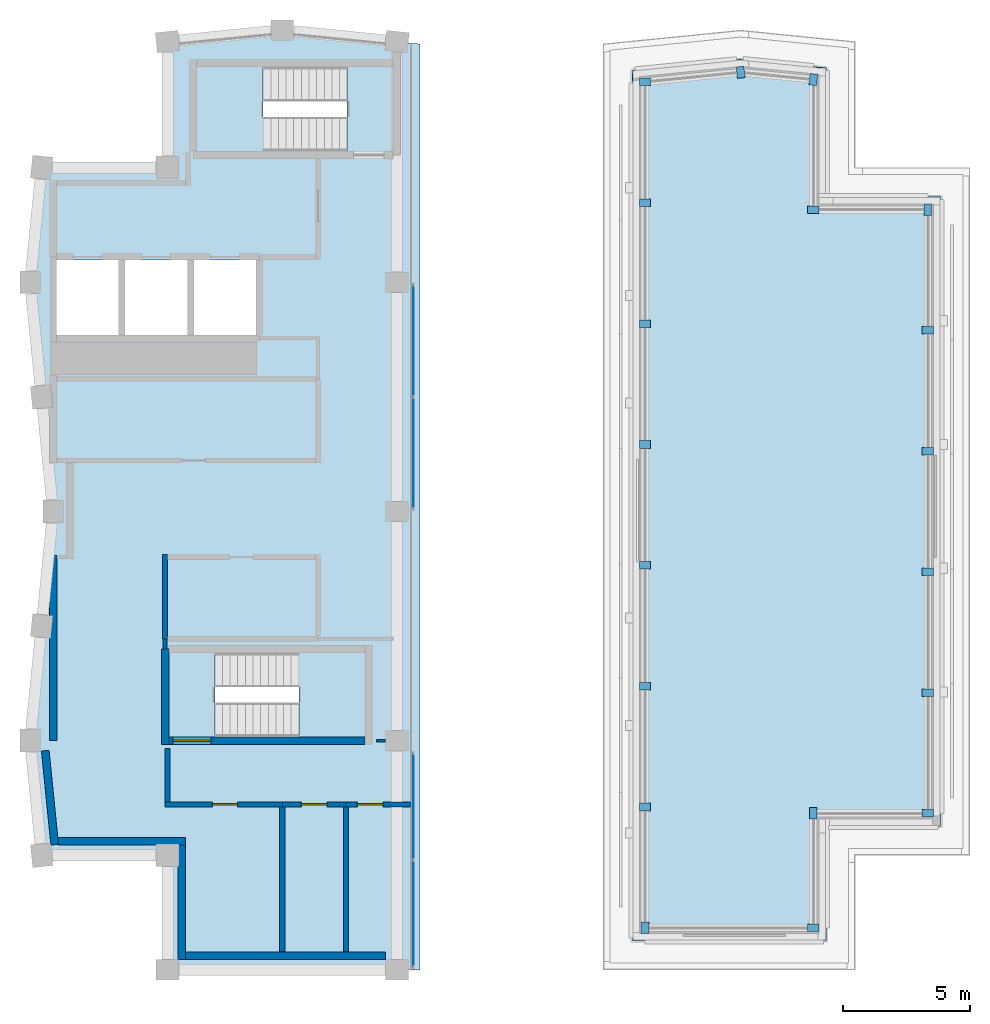
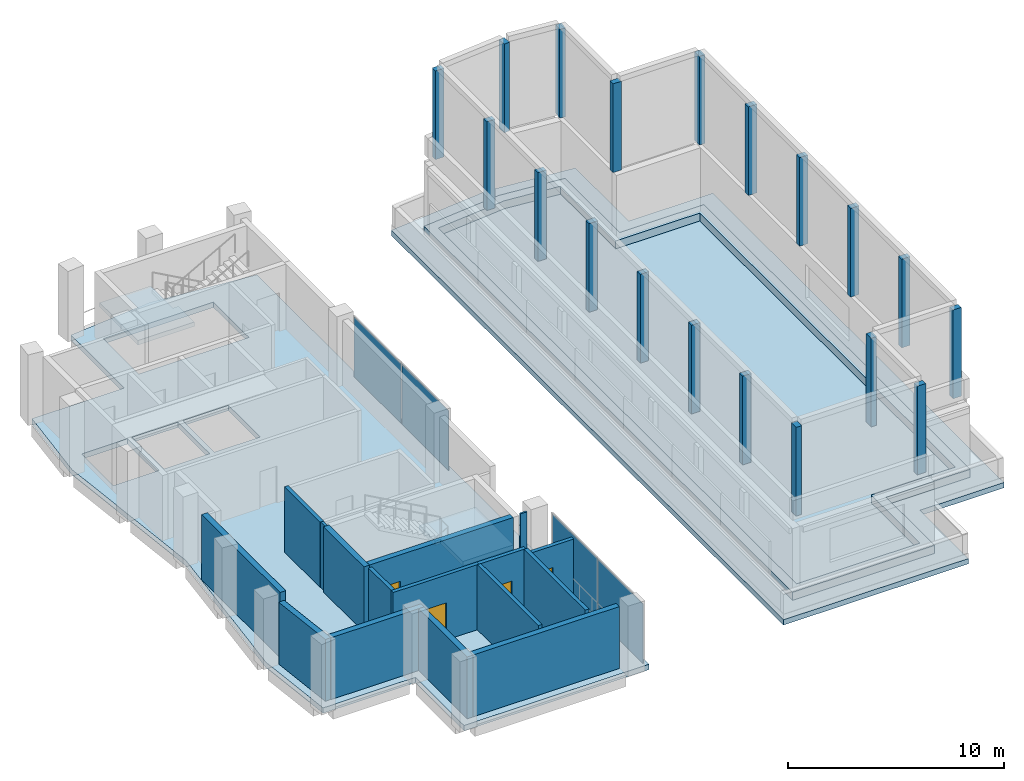
# One storey, part 4 of 8: 23 plates, 16 walls, 5 slabs, 4 doors, 4 openings, 4 elements without a shape of their own.
"""IFC4 building model written with IfcOpenShell, lengths in metres."""

from ifc_helpers import new_model, si_unit, direction, frame, frame_2d, origin, origin_2d, place, context, subcontext, project, spatial, polyline, rectangle, outline, extrude, material, layer, layer_set, type_object, element, fill, aggregate, save


model = new_model("IFC4")

# Units and contexts
model_context = context("Model", 3, precision=1e-05, world=origin(), true_north=direction((0.0, 1.0)))
body_context = subcontext(model_context, "Body", "Model", "MODEL_VIEW")
ifc_project = project(units=[si_unit("LENGTHUNIT", "METRE"), si_unit("AREAUNIT", "SQUARE_METRE"), si_unit("VOLUMEUNIT", "CUBIC_METRE"), si_unit("PLANEANGLEUNIT", "RADIAN"), si_unit("MASSUNIT", "GRAM", prefix="KILO")], contexts=[model_context])

# Site, building, storey
site_placement = place(None, origin())
site = spatial("IfcSite", under=ifc_project, at=site_placement, CompositionType="ELEMENT")
building_placement = place(site_placement, origin())
building = spatial("IfcBuilding", under=site, at=building_placement, Name="Brondeck Convention Tower", CompositionType="ELEMENT")
storey_placement = place(building_placement, frame((0.0, 0.0, 298.800048828125)))
storey = spatial("IfcBuildingStorey", under=building, at=storey_placement, Name="L74", CompositionType="ELEMENT", Elevation=298.800048828125)

# Curtain wall, plates
ifc_material_1 = material(Name="Aluminium, bronze anodised", Category="aluminium")
curtain_wall_type = type_object("IfcCurtainWallType", Name="Crown screen curtain wall", PredefinedType="NOTDEFINED", material=ifc_material_1)
curtain_wall_1_placement = place(storey_placement, origin())
curtain_wall_1 = element("IfcCurtainWall", 1, at=curtain_wall_1_placement, inside=storey, type_object=curtain_wall_type, Name="ENV-CW4-L74-K1-SLOT-W-00-2", PredefinedType="NOTDEFINED")
ifc_material_2 = material(Name="Bronze tinted laminated glass", Category="glass")
ifc_layer_1 = layer(ifc_material_2, 0.007080078125, Name="Outer pane")
ifc_material_3 = material(Name="Argon-filled cavity")
ifc_layer_2 = layer(ifc_material_3, 0.011962890625, Name="Cavity")
ifc_material_4 = material(Name="Clear low-emissivity glass", Category="glass")
ifc_layer_3 = layer(ifc_material_4, 0.007080078125, Name="Inner pane")
ifc_layer_set_1 = layer_set([ifc_layer_1, ifc_layer_2, ifc_layer_3], Name="CW4 glazing panel")
plate_type_1 = type_object("IfcPlateType", Name="CW4 glazing panel", PredefinedType="CURTAIN_PANEL", material=ifc_layer_set_1)
plate_1_placement = place(storey_placement, frame((14.14990234375, 33.41259765625, 0.06005859375), z_axis=(0.0, 0.0, 1.0), x_axis=(0.0, -1.0, 0.0)))
plate_1 = element("IfcPlate", 2, at=plate_1_placement, type_object=plate_type_1, Name="CW4 panel 1.1", PredefinedType="CURTAIN_PANEL", context=body_context, shape_type="SweptSolid", body=[
    extrude(rectangle(XDim=4.155029296875, YDim=0.02587890625, at=origin_2d()), origin(), (0.0, 0.0, 1.0), 3.3798828125),
])
plate_2_placement = place(storey_placement, frame((14.14990234375, 29.197509765625, 0.06005859375), z_axis=(0.0, 0.0, 1.0), x_axis=(0.0, -1.0, 0.0)))
plate_2 = element("IfcPlate", 3, at=plate_2_placement, type_object=plate_type_1, Name="CW4 panel 2.1", PredefinedType="CURTAIN_PANEL", context=body_context, shape_type="SweptSolid", body=[
    extrude(rectangle(XDim=4.155029296875, YDim=0.02587890625, at=origin_2d()), origin(), (0.0, 0.0, 1.0), 3.3798828125),
])
aggregate(curtain_wall_1, [plate_1, plate_2])

curtain_wall_2_placement = place(storey_placement, origin())
curtain_wall_2 = element("IfcCurtainWall", 4, at=curtain_wall_2_placement, inside=storey, type_object=curtain_wall_type, Name="ENV-CW4-L74-K1-SLOT-W-05", PredefinedType="NOTDEFINED")
plate_3_placement = place(storey_placement, frame((14.14990234375, 51.705078125, 0.06005859375), z_axis=(0.0, 0.0, 1.0), x_axis=(0.0, -1.0, 0.0)))
plate_3 = element("IfcPlate", 5, at=plate_3_placement, type_object=plate_type_1, Name="CW4 panel 1.1", PredefinedType="CURTAIN_PANEL", context=body_context, shape_type="SweptSolid", body=[
    extrude(rectangle(XDim=4.35009765625, YDim=0.02587890625, at=origin_2d()), origin(), (0.0, 0.0, 1.0), 3.3798828125),
])
plate_4_placement = place(storey_placement, frame((14.14990234375, 47.294921875, 0.06005859375), z_axis=(0.0, 0.0, 1.0), x_axis=(0.0, -1.0, 0.0)))
plate_4 = element("IfcPlate", 6, at=plate_4_placement, type_object=plate_type_1, Name="CW4 panel 2.1", PredefinedType="CURTAIN_PANEL", context=body_context, shape_type="SweptSolid", body=[
    extrude(rectangle(XDim=4.35009765625, YDim=0.02587890625, at=origin_2d()), origin(), (0.0, 0.0, 1.0), 3.3798828125),
])
aggregate(curtain_wall_2, [plate_3, plate_4])

# Slab
ifc_material_5 = material(Name="Concrete C35/45", Category="concrete")
ifc_layer_4 = layer(ifc_material_5, 0.300048828125)
ifc_layer_set_2 = layer_set([ifc_layer_4], Name="Composite floor slab 300")
slab_type_1 = type_object("IfcSlabType", Name="Composite floor slab 300", PredefinedType="FLOOR", material=ifc_layer_set_2)
slab_1_placement = place(storey_placement, frame((0.0, 0.0, -0.300048828125)))
element("IfcSlab", 7, at=slab_1_placement, inside=storey, type_object=slab_type_1, Name="STR-SL-L74", PredefinedType="FLOOR", context=body_context, shape_type="SweptSolid", body=[
    extrude(outline(polyline([(4.5, 31.5), (-0.449951171875, 31.5), (-0.89990234375, 36.0), (0.0, 45.0), (-0.89990234375, 54.0), (-0.449951171875, 58.5), (4.5, 58.5), (4.5, 63.449951171875), (9.0, 63.89990234375), (14.39990234375, 63.360107421875), (14.39990234375, 63.0), (14.39990234375, 27.0), (4.5, 27.0), (4.5, 31.5)]), holes=[polyline([(6.35205078125, 39.447998046875), (6.35205078125, 36.152099609375), (12.248046875, 36.152099609375), (12.248046875, 39.447998046875), (6.35205078125, 39.447998046875)]), polyline([(0.125, 54.875), (0.125, 51.925048828125), (2.574951171875, 51.925048828125), (2.574951171875, 54.875), (0.125, 54.875)]), polyline([(2.824951171875, 54.875), (2.824951171875, 51.925048828125), (5.27490234375, 51.925048828125), (5.27490234375, 54.875), (2.824951171875, 54.875)]), polyline([(7.97509765625, 54.875), (5.52490234375, 54.875), (5.52490234375, 51.925048828125), (7.97509765625, 51.925048828125), (7.97509765625, 54.875)]), polyline([(5.652099609375, 59.152099609375), (11.548095703125, 59.152099609375), (11.548095703125, 62.447998046875), (5.652099609375, 62.447998046875), (5.652099609375, 59.152099609375)])]), origin(), (0.0, 0.0, 1.0), 0.300048828125),
])

# Stair, slab
ifc_material_6 = material(Name="Precast concrete C50/60", Category="concrete")
stair_type = type_object("IfcStairType", Name="Core stair 24 risers 166.67 mm riser 300 mm going 1350 wide", PredefinedType="HALF_TURN_STAIR", material=ifc_material_6)
stair_1_placement = place(storey_placement, origin())
stair_1 = element("IfcStair", 8, at=stair_1_placement, inside=storey, type_object=stair_type, Name="ST-1 L74 stair", PredefinedType="HALF_TURN_STAIR")
ifc_layer_5 = layer(ifc_material_6, 0.25)
ifc_layer_set_3 = layer_set([ifc_layer_5], Name="Core stair landing 250 Precast concrete C50/60")
slab_type_2 = type_object("IfcSlabType", Name="Core stair landing 250 Precast concrete C50/60", PredefinedType="LANDING", material=ifc_layer_set_3)
slab_2_placement = place(storey_placement, frame((0.0, 0.0, 1.75)))
slab_2 = element("IfcSlab", 9, at=slab_2_placement, type_object=slab_type_2, Name="ST-1 landing 1", PredefinedType="LANDING", context=body_context, shape_type="SweptSolid", body=[
    extrude(outline(polyline([(9.64794921875, 37.5), (9.64990234375, 37.5), (9.64990234375, 38.10009765625), (9.35009765625, 38.10009765625), (9.35009765625, 39.570068359375), (12.3701171875, 39.570068359375), (12.3701171875, 36.030029296875), (9.64794921875, 36.030029296875), (9.64794921875, 37.5)])), origin(), (0.0, 0.0, 1.0), 0.25),
])
aggregate(stair_1, [slab_2])

stair_2_placement = place(storey_placement, origin())
stair_2 = element("IfcStair", 10, at=stair_2_placement, inside=storey, type_object=stair_type, Name="ST-3 L74 stair", PredefinedType="HALF_TURN_STAIR")
slab_3_placement = place(storey_placement, frame((0.0, 0.0, 1.75)))
slab_3 = element("IfcSlab", 11, at=slab_3_placement, type_object=slab_type_2, Name="ST-3 landing 1", PredefinedType="LANDING", context=body_context, shape_type="SweptSolid", body=[
    extrude(outline(polyline([(8.550048828125, 60.5), (8.550048828125, 59.030029296875), (5.530029296875, 59.030029296875), (5.530029296875, 62.570068359375), (8.251953125, 62.570068359375), (8.251953125, 61.10009765625), (8.25, 61.10009765625), (8.25, 60.5), (8.550048828125, 60.5)])), origin(), (0.0, 0.0, 1.0), 0.25),
])
aggregate(stair_2, [slab_3])

# Plates
ifc_layer_6 = layer(ifc_material_6, 0.300048828125)
ifc_layer_set_4 = layer_set([ifc_layer_6], Name="Crown fin FIN-C 300 x 450 Precast concrete C50/60")
plate_type_2 = type_object("IfcPlateType", Name="Crown fin FIN-C 300 x 450 Precast concrete C50/60", PredefinedType="USERDEFINED", material=ifc_layer_set_4)
plate_5_placement = place(storey_placement, frame((0.0, 0.0, 4.47998046875)))
element("IfcPlate", 12, at=plate_5_placement, inside=storey, type_object=plate_type_2, Name="ENV-CF-K2-T1-00-0", ObjectType="FIN-C", PredefinedType="USERDEFINED", context=body_context, shape_type="SweptSolid", body=[
    extrude(outline(polyline([(23.39501953125, 28.8701171875), (23.094970703125, 28.8701171875), (23.094970703125, 28.419921875), (23.39501953125, 28.419921875), (23.39501953125, 28.8701171875)])), origin(), (0.0, 0.0, 1.0), 5.02001953125),
])
plate_6_placement = place(storey_placement, frame((0.0, 0.0, 4.47998046875)))
element("IfcPlate", 13, at=plate_6_placement, inside=storey, type_object=plate_type_2, Name="ENV-CF-K2-T1-01-0", ObjectType="FIN-C", PredefinedType="USERDEFINED", context=body_context, shape_type="SweptSolid", body=[
    extrude(outline(polyline([(29.6298828125, 28.794921875), (29.6298828125, 28.4951171875), (30.080078125, 28.4951171875), (30.080078125, 28.794921875), (29.6298828125, 28.794921875)])), origin(), (0.0, 0.0, 1.0), 5.02001953125),
])
plate_7_placement = place(storey_placement, frame((0.0, 0.0, 4.47998046875)))
element("IfcPlate", 14, at=plate_7_placement, inside=storey, type_object=plate_type_2, Name="ENV-CF-K2-T1-02-0", ObjectType="FIN-C", PredefinedType="USERDEFINED", context=body_context, shape_type="SweptSolid", body=[
    extrude(outline(polyline([(30.0048828125, 33.3701171875), (29.705078125, 33.3701171875), (29.705078125, 32.919921875), (30.0048828125, 32.919921875), (30.0048828125, 33.3701171875)])), origin(), (0.0, 0.0, 1.0), 5.02001953125),
])
plate_8_placement = place(storey_placement, frame((0.0, 0.0, 4.47998046875)))
element("IfcPlate", 15, at=plate_8_placement, inside=storey, type_object=plate_type_2, Name="ENV-CF-K2-T1-03-0", ObjectType="FIN-C", PredefinedType="USERDEFINED", context=body_context, shape_type="SweptSolid", body=[
    extrude(outline(polyline([(34.1298828125, 33.294921875), (34.1298828125, 32.9951171875), (34.580078125, 32.9951171875), (34.580078125, 33.294921875), (34.1298828125, 33.294921875)])), origin(), (0.0, 0.0, 1.0), 5.02001953125),
])
plate_9_placement = place(storey_placement, frame((0.0, 0.0, 4.47998046875)))
element("IfcPlate", 16, at=plate_9_placement, inside=storey, type_object=plate_type_2, Name="ENV-CF-K2-T1-03-1", ObjectType="FIN-C", PredefinedType="USERDEFINED", context=body_context, shape_type="SweptSolid", body=[
    extrude(outline(polyline([(34.1298828125, 38.037109375), (34.1298828125, 37.737060546875), (34.580078125, 37.737060546875), (34.580078125, 38.037109375), (34.1298828125, 38.037109375)])), origin(), (0.0, 0.0, 1.0), 5.02001953125),
])
plate_10_placement = place(storey_placement, frame((0.0, 0.0, 4.47998046875)))
element("IfcPlate", 17, at=plate_10_placement, inside=storey, type_object=plate_type_2, Name="ENV-CF-K2-T1-03-2", ObjectType="FIN-C", PredefinedType="USERDEFINED", context=body_context, shape_type="SweptSolid", body=[
    extrude(outline(polyline([(34.1298828125, 42.779052734375), (34.1298828125, 42.47900390625), (34.580078125, 42.47900390625), (34.580078125, 42.779052734375), (34.1298828125, 42.779052734375)])), origin(), (0.0, 0.0, 1.0), 5.02001953125),
])
plate_11_placement = place(storey_placement, frame((0.0, 0.0, 4.47998046875)))
element("IfcPlate", 18, at=plate_11_placement, inside=storey, type_object=plate_type_2, Name="ENV-CF-K2-T1-03-3", ObjectType="FIN-C", PredefinedType="USERDEFINED", context=body_context, shape_type="SweptSolid", body=[
    extrude(outline(polyline([(34.1298828125, 47.52099609375), (34.1298828125, 47.220947265625), (34.580078125, 47.220947265625), (34.580078125, 47.52099609375), (34.1298828125, 47.52099609375)])), origin(), (0.0, 0.0, 1.0), 5.02001953125),
])
plate_12_placement = place(storey_placement, frame((0.0, 0.0, 4.47998046875)))
element("IfcPlate", 19, at=plate_12_placement, inside=storey, type_object=plate_type_2, Name="ENV-CF-K2-T1-03-4", ObjectType="FIN-C", PredefinedType="USERDEFINED", context=body_context, shape_type="SweptSolid", body=[
    extrude(outline(polyline([(34.1298828125, 52.262939453125), (34.1298828125, 51.962890625), (34.580078125, 51.962890625), (34.580078125, 52.262939453125), (34.1298828125, 52.262939453125)])), origin(), (0.0, 0.0, 1.0), 5.02001953125),
])
plate_13_placement = place(storey_placement, frame((0.0, 0.0, 4.47998046875)))
element("IfcPlate", 20, at=plate_13_placement, inside=storey, type_object=plate_type_2, Name="ENV-CF-K2-T1-04-0", ObjectType="FIN-C", PredefinedType="USERDEFINED", context=body_context, shape_type="SweptSolid", body=[
    extrude(outline(polyline([(34.205078125, 56.6298828125), (34.5048828125, 56.6298828125), (34.5048828125, 57.080078125), (34.205078125, 57.080078125), (34.205078125, 56.6298828125)])), origin(), (0.0, 0.0, 1.0), 5.02001953125),
])
plate_14_placement = place(storey_placement, frame((0.0, 0.0, 4.47998046875)))
element("IfcPlate", 21, at=plate_14_placement, inside=storey, type_object=plate_type_2, Name="ENV-CF-K2-T1-05-0", ObjectType="FIN-C", PredefinedType="USERDEFINED", context=body_context, shape_type="SweptSolid", body=[
    extrude(outline(polyline([(29.6298828125, 57.0048828125), (29.6298828125, 56.705078125), (30.080078125, 56.705078125), (30.080078125, 57.0048828125), (29.6298828125, 57.0048828125)])), origin(), (0.0, 0.0, 1.0), 5.02001953125),
])
plate_15_placement = place(storey_placement, frame((0.0, 0.0, 4.47998046875)))
element("IfcPlate", 22, at=plate_15_placement, inside=storey, type_object=plate_type_2, Name="ENV-CF-K2-T1-06-0", ObjectType="FIN-C", PredefinedType="USERDEFINED", context=body_context, shape_type="SweptSolid", body=[
    extrude(outline(polyline([(29.683349609375, 61.752197265625), (29.98193359375, 61.722412109375), (30.026611328125, 62.17041015625), (29.72802734375, 62.2001953125), (29.683349609375, 61.752197265625)])), origin(), (0.0, 0.0, 1.0), 5.02001953125),
])
plate_16_placement = place(storey_placement, frame((0.0, 0.0, 4.47998046875)))
element("IfcPlate", 23, at=plate_16_placement, inside=storey, type_object=plate_type_2, Name="ENV-CF-K2-T1-07-0", ObjectType="FIN-C", PredefinedType="USERDEFINED", context=body_context, shape_type="SweptSolid", body=[
    extrude(outline(polyline([(26.873046875, 62.008056640625), (27.171630859375, 62.037841796875), (27.126953125, 62.485595703125), (26.828369140625, 62.455810546875), (26.873046875, 62.008056640625)])), origin(), (0.0, 0.0, 1.0), 5.02001953125),
])
plate_17_placement = place(storey_placement, frame((0.0, 0.0, 4.47998046875)))
element("IfcPlate", 24, at=plate_17_placement, inside=storey, type_object=plate_type_2, Name="ENV-CF-K2-T1-08-0", ObjectType="FIN-C", PredefinedType="USERDEFINED", context=body_context, shape_type="SweptSolid", body=[
    extrude(outline(polyline([(23.469970703125, 61.72119140625), (23.469970703125, 62.021240234375), (23.02001953125, 62.021240234375), (23.02001953125, 61.72119140625), (23.469970703125, 61.72119140625)])), origin(), (0.0, 0.0, 1.0), 5.02001953125),
])
plate_18_placement = place(storey_placement, frame((0.0, 0.0, 4.47998046875)))
element("IfcPlate", 25, at=plate_18_placement, inside=storey, type_object=plate_type_2, Name="ENV-CF-K2-T1-08-1", ObjectType="FIN-C", PredefinedType="USERDEFINED", context=body_context, shape_type="SweptSolid", body=[
    extrude(outline(polyline([(23.469970703125, 56.974609375), (23.469970703125, 57.274658203125), (23.02001953125, 57.274658203125), (23.02001953125, 56.974609375), (23.469970703125, 56.974609375)])), origin(), (0.0, 0.0, 1.0), 5.02001953125),
])
plate_19_placement = place(storey_placement, frame((0.0, 0.0, 4.47998046875)))
element("IfcPlate", 26, at=plate_19_placement, inside=storey, type_object=plate_type_2, Name="ENV-CF-K2-T1-08-2", ObjectType="FIN-C", PredefinedType="USERDEFINED", context=body_context, shape_type="SweptSolid", body=[
    extrude(outline(polyline([(23.469970703125, 52.22802734375), (23.469970703125, 52.528076171875), (23.02001953125, 52.528076171875), (23.02001953125, 52.22802734375), (23.469970703125, 52.22802734375)])), origin(), (0.0, 0.0, 1.0), 5.02001953125),
])
plate_20_placement = place(storey_placement, frame((0.0, 0.0, 4.47998046875)))
element("IfcPlate", 27, at=plate_20_placement, inside=storey, type_object=plate_type_2, Name="ENV-CF-K2-T1-08-3", ObjectType="FIN-C", PredefinedType="USERDEFINED", context=body_context, shape_type="SweptSolid", body=[
    extrude(outline(polyline([(23.469970703125, 47.4814453125), (23.469970703125, 47.781494140625), (23.02001953125, 47.781494140625), (23.02001953125, 47.4814453125), (23.469970703125, 47.4814453125)])), origin(), (0.0, 0.0, 1.0), 5.02001953125),
])
plate_21_placement = place(storey_placement, frame((0.0, 0.0, 4.47998046875)))
element("IfcPlate", 28, at=plate_21_placement, inside=storey, type_object=plate_type_2, Name="ENV-CF-K2-T1-08-4", ObjectType="FIN-C", PredefinedType="USERDEFINED", context=body_context, shape_type="SweptSolid", body=[
    extrude(outline(polyline([(23.469970703125, 42.73486328125), (23.469970703125, 43.034912109375), (23.02001953125, 43.034912109375), (23.02001953125, 42.73486328125), (23.469970703125, 42.73486328125)])), origin(), (0.0, 0.0, 1.0), 5.02001953125),
])
plate_22_placement = place(storey_placement, frame((0.0, 0.0, 4.47998046875)))
element("IfcPlate", 29, at=plate_22_placement, inside=storey, type_object=plate_type_2, Name="ENV-CF-K2-T1-08-5", ObjectType="FIN-C", PredefinedType="USERDEFINED", context=body_context, shape_type="SweptSolid", body=[
    extrude(outline(polyline([(23.469970703125, 37.98828125), (23.469970703125, 38.2880859375), (23.02001953125, 38.2880859375), (23.02001953125, 37.98828125), (23.469970703125, 37.98828125)])), origin(), (0.0, 0.0, 1.0), 5.02001953125),
])
plate_23_placement = place(storey_placement, frame((0.0, 0.0, 4.47998046875)))
element("IfcPlate", 30, at=plate_23_placement, inside=storey, type_object=plate_type_2, Name="ENV-CF-K2-T1-08-6", ObjectType="FIN-C", PredefinedType="USERDEFINED", context=body_context, shape_type="SweptSolid", body=[
    extrude(outline(polyline([(23.469970703125, 33.24169921875), (23.469970703125, 33.54150390625), (23.02001953125, 33.54150390625), (23.02001953125, 33.24169921875), (23.469970703125, 33.24169921875)])), origin(), (0.0, 0.0, 1.0), 5.02001953125),
])

# Slabs
ifc_layer_7 = layer(ifc_material_5, 0.449951171875)
ifc_layer_set_5 = layer_set([ifc_layer_7], Name="Crown tier bearing ring 450")
slab_type_3 = type_object("IfcSlabType", Name="Crown tier bearing ring 450", PredefinedType="ROOF", material=ifc_layer_set_5)
slab_4_placement = place(storey_placement, origin())
element("IfcSlab", 31, at=slab_4_placement, inside=storey, type_object=slab_type_3, Name="ENV-CT-K2-T1-PL01", PredefinedType="ROOF", context=body_context, shape_type="SweptSolid", body=[
    extrude(outline(polyline([(22.75, 62.3193359375), (22.75, 28.14990234375), (30.35009765625, 28.14990234375), (30.35009765625, 32.64990234375), (34.85009765625, 32.64990234375), (34.85009765625, 57.35009765625), (30.35009765625, 57.35009765625), (30.35009765625, 62.4091796875), (27.0, 62.744384765625), (22.75, 62.3193359375)]), holes=[polyline([(29.85009765625, 28.64990234375), (23.25, 28.64990234375), (23.25, 61.86669921875), (27.0, 62.24169921875), (29.85009765625, 61.956787109375), (29.85009765625, 56.85009765625), (34.35009765625, 56.85009765625), (34.35009765625, 33.14990234375), (29.85009765625, 33.14990234375), (29.85009765625, 28.64990234375)])]), origin(), (0.0, 0.0, 1.0), 0.449951171875),
])
ifc_layer_8 = layer(ifc_material_5, 0.300048828125)
ifc_layer_set_6 = layer_set([ifc_layer_8], Name="Roof slab, terrace and crown")
slab_type_4 = type_object("IfcSlabType", Name="Roof slab, terrace and crown", PredefinedType="ROOF", material=ifc_layer_set_6)
slab_5_placement = place(storey_placement, frame((0.0, 0.0, -0.300048828125)))
element("IfcSlab", 32, at=slab_5_placement, inside=storey, type_object=slab_type_4, Name="ENV-ROOF-K2-SL", PredefinedType="ROOF", context=body_context, shape_type="SweptSolid", body=[
    extrude(outline(polyline([(21.60009765625, 27.0), (31.5, 27.0), (31.5, 31.5), (36.0, 31.5), (36.0, 58.5), (31.5, 58.5), (31.5, 63.449951171875), (27.0, 63.89990234375), (21.60009765625, 63.360107421875), (21.60009765625, 63.0), (21.60009765625, 27.0)])), origin(), (0.0, 0.0, 1.0), 0.300048828125),
])

# Walls
ifc_material_7 = material(Name="Concrete C50/60", Category="concrete")
ifc_layer_9 = layer(ifc_material_7, 0.300048828125)
ifc_layer_set_7 = layer_set([ifc_layer_9], Name="Core outer wall 300 Concrete C50/60")
wall_type_1 = type_object("IfcWallType", Name="Core outer wall 300 Concrete C50/60", PredefinedType="SHEAR", material=ifc_layer_set_7)
wall_1_placement = place(storey_placement, frame((0.0, 36.0, 0.0), z_axis=(0.0, 0.0, 1.0), x_axis=(0.0, 1.0, 0.0)))
element("IfcWall", 33, at=wall_1_placement, inside=storey, type_object=wall_type_1, Name="L74 core wall", PredefinedType="SHEAR", context=body_context, shape_type="SweptSolid", body=[
    extrude(rectangle(XDim=7.27490234375, YDim=0.300048828125, at=frame_2d((3.637451171875, 0.0))), origin(), (0.0, 0.0, 1.0), 3.699951171875),
])
ifc_material_8 = material(Name="Fire-rated gypsum board partition")
ifc_layer_10 = layer(ifc_material_8, 0.14990234375)
ifc_layer_set_8 = layer_set([ifc_layer_10], Name="Core partition 150 EI 60")
wall_type_2 = type_object("IfcWallType", Name="Core partition 150 EI 60", PredefinedType="PARTITIONING", material=ifc_layer_set_8)
wall_2_placement = place(storey_placement, frame((4.39990234375, 39.60009765625, 0.0), z_axis=(0.0, 0.0, 1.0), x_axis=(0.0, 1.0, 0.0)))
element("IfcWall", 34, at=wall_2_placement, inside=storey, type_object=wall_type_2, Name="L74 core wall", PredefinedType="PARTITIONING", context=body_context, shape_type="SweptSolid", body=[
    extrude(rectangle(XDim=0.39990234375, YDim=0.14990234375, at=frame_2d((0.199951171875, 0.0))), origin(), (0.0, 0.0, 1.0), 3.699951171875),
])
ifc_material_9 = material(Name="Precast concrete C50/60 bronze finish", Category="concrete")
ifc_layer_11 = layer(ifc_material_9, 0.070068359375, Name="Bronze precast facing")
ifc_material_10 = material(Name="Mineral wool")
ifc_layer_12 = layer(ifc_material_10, 0.159912109375, Name="Insulation")
ifc_layer_13 = layer(ifc_material_5, 0.070068359375, Name="Backing")
ifc_layer_set_9 = layer_set([ifc_layer_11, ifc_layer_12, ifc_layer_13], Name="External infill wall, precast concrete C50/60 bronze facing")
wall_type_3 = type_object("IfcWallType", Name="External infill wall, precast concrete C50/60 bronze facing", PredefinedType="SOLIDWALL", material=ifc_layer_set_9)
wall_3_placement = place(storey_placement, frame((13.050048828125, 27.550048828125, 0.0), z_axis=(0.0, 0.0, 1.0), x_axis=(-1.0, 0.0, 0.0)))
element("IfcWall", 35, at=wall_3_placement, inside=storey, type_object=wall_type_3, Name="ENV-EW-L74-K1-K-S-01", PredefinedType="SOLIDWALL", context=body_context, shape_type="SweptSolid", body=[
    extrude(rectangle(XDim=7.85009765625, YDim=0.300048828125, at=frame_2d((3.925048828125, 0.0))), origin(), (0.0, 0.0, 1.0), 3.5),
])
wall_4_placement = place(storey_placement, frame((0.061279296875, 31.914794921875, 0.0), z_axis=(0.0, 0.0, 1.0), x_axis=(-0.099549320092, 0.995032629048, 0.0)))
element("IfcWall", 36, at=wall_4_placement, inside=storey, type_object=wall_type_3, Name="ENV-EW-L74-K1-B-W-06", PredefinedType="SOLIDWALL", context=body_context, shape_type="SweptSolid", body=[
    extrude(rectangle(XDim=3.71044921875, YDim=0.300048828125, at=frame_2d((1.855224609375, 0.0))), origin(), (0.0, 0.0, 1.0), 3.5),
])
wall_5_placement = place(storey_placement, frame((5.199951171875, 32.050048828125, 0.0), z_axis=(0.0, 0.0, 1.0), x_axis=(-1.0, 0.0, 0.0)))
element("IfcWall", 37, at=wall_5_placement, inside=storey, type_object=wall_type_3, Name="ENV-EW-L74-K1-NC-KSW-01", PredefinedType="SOLIDWALL", context=body_context, shape_type="SweptSolid", body=[
    extrude(rectangle(XDim=5.000244140625, YDim=0.300048828125, at=frame_2d((2.5, 0.0))), origin(), (0.0, 0.0, 1.0), 3.5),
])
wall_6_placement = place(storey_placement, frame((5.050048828125, 27.39990234375, 0.0), z_axis=(0.0, 0.0, 1.0), x_axis=(0.0, 1.0, 0.0)))
element("IfcWall", 38, at=wall_6_placement, inside=storey, type_object=wall_type_3, Name="ENV-EW-L74-K1-NC-KSW-02", PredefinedType="SOLIDWALL", context=body_context, shape_type="SweptSolid", body=[
    extrude(rectangle(XDim=4.502197265625, YDim=0.300048828125, at=frame_2d((2.2509765625, 0.0))), origin(), (0.0, 0.0, 1.0), 3.5),
])
ifc_material_11 = material(Name="Concrete block wall C16/20", Category="concrete")
ifc_layer_14 = layer(ifc_material_11, 0.199951171875)
ifc_layer_set_10 = layer_set([ifc_layer_14], Name="Plant room wall 200")
wall_type_4 = type_object("IfcWallType", Name="Plant room wall 200", PredefinedType="PARTITIONING", material=ifc_layer_set_10)
for number, where, z_axis, x_axis, name in (
    (39, (9.0, 33.39990234375, 0.0), (0.0, 0.0, 1.0), (0.0, -1.0, 0.0), "FLR-L74-W001"),
    (40, (11.5, 33.39990234375, 0.0), (0.0, 0.0, 1.0), (0.0, -1.0, 0.0), "FLR-L74-W002"),
):
    element("IfcWall", number, at=place(storey_placement, frame(where, z_axis=z_axis, x_axis=x_axis)), inside=storey, type_object=wall_type_4, Name=name, PredefinedType="PARTITIONING", context=body_context, shape_type="SweptSolid", body=[
        extrude(rectangle(XDim=5.679931640625, YDim=0.199951171875, at=frame_2d((2.83984375, 0.0))), origin(), (0.0, 0.0, 1.0), 3.679931640625),
    ])

# Wall, opening, door
wall_7_placement = place(storey_placement, frame((9.0, 33.5, 0.0), z_axis=(0.0, 0.0, 1.0), x_axis=(-1.0, 0.0, 0.0)))
wall_7 = element("IfcWall", 41, at=wall_7_placement, inside=storey, type_object=wall_type_4, Name="FLR-L74-W003", PredefinedType="PARTITIONING", context=body_context, shape_type="SweptSolid", body=[
    extrude(rectangle(XDim=4.60009765625, YDim=0.199951171875, at=frame_2d((2.300048828125, 0.0))), origin(), (0.0, 0.0, 1.0), 3.679931640625),
])
opening_1_placement = place(wall_7_placement, frame((1.75, 0.0, 0.0)))
opening_1 = element("IfcOpeningElement", 42, at=opening_1_placement, cuts=wall_7, Name="Opening CR-C-001", PredefinedType="OPENING", context=body_context, shape_type="SweptSolid", body=[
    extrude(rectangle(XDim=1.0, YDim=2.10009765625, at=frame_2d((0.5, 1.050048828125))), frame((0.0, 0.10986328125, 0.0), z_axis=(0.0, -1.0, 0.0), x_axis=(1.0, 0.0, 0.0)), (0.0, 0.0, 1.0), 0.219970703125),
])
ifc_material_12 = material(Name="Steel fire door leaf", Category="steel")
door_type_1 = type_object("IfcDoorType", Name="Plant room door 1000", OperationType="NOTDEFINED", PredefinedType="DOOR", material=ifc_material_12)
door_1_placement = place(opening_1_placement, origin())
door_1 = element("IfcDoor", 43, at=door_1_placement, inside=storey, type_object=door_type_1, Name="Door CR-C-001", OperationType="SINGLE_SWING_RIGHT", OverallHeight=2.10009765625, OverallWidth=1.0, PredefinedType="DOOR", context=body_context, shape_type="SweptSolid", body=[
    extrude(rectangle(XDim=1.0, YDim=2.10009765625, at=frame_2d((0.5, 1.050048828125))), frame((0.0, 0.02490234375, 0.0), z_axis=(0.0, -1.0, 0.0), x_axis=(1.0, 0.0, 0.0)), (0.0, 0.0, 1.0), 0.050048828125),
])
fill(opening_1, door_1)

wall_8_placement = place(storey_placement, frame((11.5, 33.5, 0.0), z_axis=(0.0, 0.0, 1.0), x_axis=(-1.0, 0.0, 0.0)))
wall_8 = element("IfcWall", 44, at=wall_8_placement, inside=storey, type_object=wall_type_4, Name="FLR-L74-W004", PredefinedType="PARTITIONING", context=body_context, shape_type="SweptSolid", body=[
    extrude(rectangle(XDim=2.5, YDim=0.199951171875, at=frame_2d((1.25, 0.0))), origin(), (0.0, 0.0, 1.0), 3.679931640625),
])
opening_2_placement = place(wall_8_placement, frame((0.75, 0.0, 0.0)))
opening_2 = element("IfcOpeningElement", 45, at=opening_2_placement, cuts=wall_8, Name="Opening CR-C-002", PredefinedType="OPENING", context=body_context, shape_type="SweptSolid", body=[
    extrude(rectangle(XDim=1.0, YDim=2.10009765625, at=frame_2d((0.5, 1.050048828125))), frame((0.0, 0.10986328125, 0.0), z_axis=(0.0, -1.0, 0.0), x_axis=(1.0, 0.0, 0.0)), (0.0, 0.0, 1.0), 0.219970703125),
])
door_2_placement = place(opening_2_placement, origin())
door_2 = element("IfcDoor", 46, at=door_2_placement, inside=storey, type_object=door_type_1, Name="Door CR-C-002", OperationType="SINGLE_SWING_RIGHT", OverallHeight=2.10009765625, OverallWidth=1.0, PredefinedType="DOOR", context=body_context, shape_type="SweptSolid", body=[
    extrude(rectangle(XDim=1.0, YDim=2.10009765625, at=frame_2d((0.5, 1.050048828125))), frame((0.0, 0.02490234375, 0.0), z_axis=(0.0, -1.0, 0.0), x_axis=(1.0, 0.0, 0.0)), (0.0, 0.0, 1.0), 0.050048828125),
])
fill(opening_2, door_2)

wall_9_placement = place(storey_placement, frame((14.06005859375, 33.5, 0.0), z_axis=(0.0, 0.0, 1.0), x_axis=(-1.0, 0.0, 0.0)))
wall_9 = element("IfcWall", 47, at=wall_9_placement, inside=storey, type_object=wall_type_4, Name="FLR-L74-W005", PredefinedType="PARTITIONING", context=body_context, shape_type="SweptSolid", body=[
    extrude(rectangle(XDim=2.56005859375, YDim=0.199951171875, at=frame_2d((1.280029296875, 0.0))), origin(), (0.0, 0.0, 1.0), 3.329833984375),
])
opening_3_placement = place(wall_9_placement, frame((1.110107421875, 0.0, 0.0)))
opening_3 = element("IfcOpeningElement", 48, at=opening_3_placement, cuts=wall_9, Name="Opening CR-C-003", PredefinedType="OPENING", context=body_context, shape_type="SweptSolid", body=[
    extrude(rectangle(XDim=1.0, YDim=2.10009765625, at=frame_2d((0.5, 1.050048828125))), frame((0.0, 0.10986328125, 0.0), z_axis=(0.0, -1.0, 0.0), x_axis=(1.0, 0.0, 0.0)), (0.0, 0.0, 1.0), 0.219970703125),
])
door_3_placement = place(opening_3_placement, origin())
door_3 = element("IfcDoor", 49, at=door_3_placement, inside=storey, type_object=door_type_1, Name="Door CR-C-003", OperationType="SINGLE_SWING_LEFT", OverallHeight=2.10009765625, OverallWidth=1.0, PredefinedType="DOOR", context=body_context, shape_type="SweptSolid", body=[
    extrude(rectangle(XDim=1.0, YDim=2.10009765625, at=frame_2d((0.5, 1.050048828125))), frame((0.0, 0.02490234375, 0.0), z_axis=(0.0, -1.0, 0.0), x_axis=(1.0, 0.0, 0.0)), (0.0, 0.0, 1.0), 0.050048828125),
])
fill(opening_3, door_3)

# Walls
wall_10_placement = place(storey_placement, frame((4.5, 33.60009765625, 0.0), z_axis=(0.0, 0.0, 1.0), x_axis=(0.0, 1.0, 0.0)))
element("IfcWall", 50, at=wall_10_placement, inside=storey, type_object=wall_type_4, Name="FLR-L74-W006", PredefinedType="PARTITIONING", context=body_context, shape_type="SweptSolid", body=[
    extrude(rectangle(XDim=2.099853515625, YDim=0.199951171875, at=frame_2d((1.0498046875, 0.0))), origin(), (0.0, 0.0, 1.0), 3.679931640625),
])
ifc_layer_15 = layer(ifc_material_8, 0.199951171875)
ifc_layer_set_11 = layer_set([ifc_layer_15], Name="Plant room wall 200 EI 120")
wall_type_5 = type_object("IfcWallType", Name="Plant room wall 200 EI 120", PredefinedType="PARTITIONING", material=ifc_layer_set_11)
wall_11_placement = place(storey_placement, frame((4.39990234375, 40.0, 0.0), z_axis=(0.0, 0.0, 1.0), x_axis=(0.0, 1.0, 0.0)))
element("IfcWall", 51, at=wall_11_placement, inside=storey, type_object=wall_type_5, Name="L74 core wall", PredefinedType="PARTITIONING", context=body_context, shape_type="SweptSolid", body=[
    extrude(rectangle(XDim=3.300048828125, YDim=0.199951171875, at=frame_2d((1.64990234375, 0.0))), origin(), (0.0, 0.0, 1.0), 3.699951171875),
])
ifc_material_13 = material(Name="Gypsum board partition on steel studs", Category="steel")
ifc_layer_16 = layer(ifc_material_13, 0.10009765625)
ifc_layer_set_12 = layer_set([ifc_layer_16], Name="Room partition 100")
wall_type_6 = type_object("IfcWallType", Name="Room partition 100", PredefinedType="PARTITIONING", material=ifc_layer_set_12)
wall_12_placement = place(storey_placement, frame((12.699951171875, 36.0, 0.0), z_axis=(0.0, 0.0, 1.0), x_axis=(1.0, 0.0, 0.0)))
element("IfcWall", 52, at=wall_12_placement, inside=storey, type_object=wall_type_6, Name="FLR-L74-W007", PredefinedType="PARTITIONING", context=body_context, shape_type="SweptSolid", body=[
    extrude(rectangle(XDim=0.344970703125, YDim=0.10009765625, at=frame_2d((0.17236328125, 0.0))), origin(), (0.0, 0.0, 1.0), 3.679931640625),
])

# Wall, opening, door
ifc_layer_17 = layer(ifc_material_7, 0.300048828125)
ifc_layer_set_13 = layer_set([ifc_layer_17], Name="Stair enclosure wall 300 Concrete C50/60")
wall_type_7 = type_object("IfcWallType", Name="Stair enclosure wall 300 Concrete C50/60", PredefinedType="SHEAR", material=ifc_layer_set_13)
wall_13_placement = place(storey_placement, frame((4.550048828125, 36.0, 0.0), z_axis=(0.0, 0.0, 1.0), x_axis=(1.0, 0.0, 0.0)))
wall_13 = element("IfcWall", 53, at=wall_13_placement, inside=storey, type_object=wall_type_7, Name="L74 core wall", PredefinedType="SHEAR", context=body_context, shape_type="SweptSolid", body=[
    extrude(rectangle(XDim=7.699951171875, YDim=0.300048828125, at=frame_2d((3.85009765625, 0.0))), origin(), (0.0, 0.0, 1.0), 3.699951171875),
])
opening_4_placement = place(wall_13_placement, frame((0.14990234375, 0.0, 0.0)))
opening_4 = element("IfcOpeningElement", 54, at=opening_4_placement, cuts=wall_13, Name="Opening C43-04", PredefinedType="OPENING", context=body_context, shape_type="SweptSolid", body=[
    extrude(rectangle(XDim=1.5, YDim=2.199951171875, at=frame_2d((0.75, 1.10009765625))), frame((0.0, 0.159912109375, 0.0), z_axis=(0.0, -1.0, 0.0), x_axis=(1.0, 0.0, 0.0)), (0.0, 0.0, 1.0), 0.320068359375),
])
ifc_material_14 = material(Name="Steel fire door", Category="steel")
door_type_2 = type_object("IfcDoorType", Name="Stair door 1500x2200 EI 90", OperationType="NOTDEFINED", PredefinedType="DOOR", material=ifc_material_14)
door_4_placement = place(opening_4_placement, origin())
door_4 = element("IfcDoor", 55, at=door_4_placement, inside=storey, type_object=door_type_2, Name="L74 Stair door ST-1", OperationType="SINGLE_SWING_RIGHT", OverallHeight=2.199951171875, OverallWidth=1.5, PredefinedType="DOOR", context=body_context, shape_type="SweptSolid", body=[
    extrude(rectangle(XDim=1.5, YDim=2.199951171875, at=frame_2d((0.75, 1.10009765625))), frame((0.0, 0.02490234375, 0.0), z_axis=(0.0, -1.0, 0.0), x_axis=(1.0, 0.0, 0.0)), (0.0, 0.0, 1.0), 0.050048828125),
])
fill(opening_4, door_4)

# Wall
wall_14_placement = place(storey_placement, frame((4.39990234375, 35.85009765625, 0.0), z_axis=(0.0, 0.0, 1.0), x_axis=(0.0, 1.0, 0.0)))
element("IfcWall", 56, at=wall_14_placement, inside=storey, type_object=wall_type_7, Name="L74 core wall", PredefinedType="SHEAR", context=body_context, shape_type="SweptSolid", body=[
    extrude(rectangle(XDim=3.75, YDim=0.300048828125, at=frame_2d((1.875, 0.0))), origin(), (0.0, 0.0, 1.0), 3.699951171875),
])

save(model, "model.ifc")
